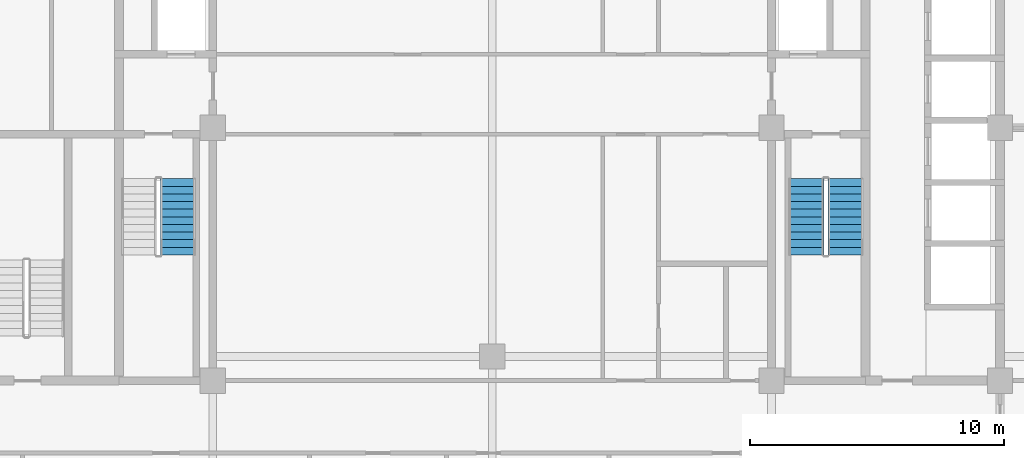
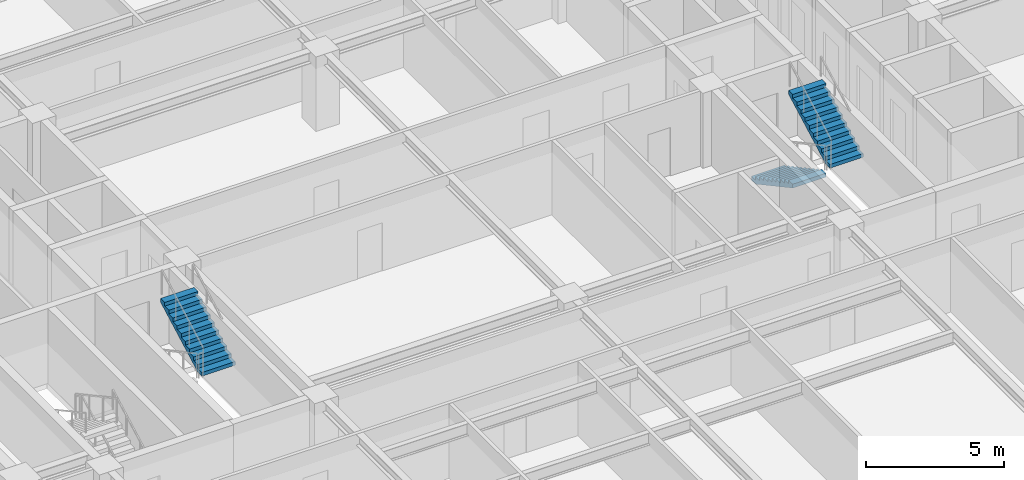
# One storey, part 7 of 13: 3 stair flights, 2 elements without a shape of their own.
"""IFC4 building model written with IfcOpenShell, lengths in metres."""

from ifc_helpers import new_model, si_unit, direction, frame, origin, place, context, subcontext, project, spatial, polyline, outline, extrude, material, layer, layer_set, type_object, element, aggregate, save


model = new_model("IFC4")

# Units and contexts
model_context = context("Model", 3, precision=1e-05, world=origin(), true_north=direction((0.0, 1.0)))
body_context = subcontext(model_context, "Body", "Model", "MODEL_VIEW")
ifc_project = project(units=[si_unit("LENGTHUNIT", "METRE"), si_unit("AREAUNIT", "SQUARE_METRE"), si_unit("VOLUMEUNIT", "CUBIC_METRE"), si_unit("PLANEANGLEUNIT", "RADIAN"), si_unit("MASSUNIT", "GRAM", prefix="KILO")], contexts=[model_context])

# Site, building, storey
site_placement = place(None, origin())
site = spatial("IfcSite", under=ifc_project, at=site_placement, CompositionType="ELEMENT")
building_placement = place(site_placement, origin())
building = spatial("IfcBuilding", under=site, at=building_placement, Name="Zulmaris Gate Convention Tower", CompositionType="ELEMENT")
storey_placement = place(building_placement, frame((0.0, 0.0, 109.2099609375)))
storey = spatial("IfcBuildingStorey", under=building, at=storey_placement, Name="L27", CompositionType="ELEMENT", Elevation=109.2099609375)

# Stair, stair flight
ifc_material = material(Name="Concrete C45/55", Category="concrete")
stair_type = type_object("IfcStairType", Name="ST-CORE-DOGLEG", PredefinedType="HALF_TURN_STAIR", material=ifc_material)
stair_1_placement = place(storey_placement, origin())
stair_1 = element("IfcStair", 1, at=stair_1_placement, inside=storey, type_object=stair_type, Name="L27 Core Exit Stair ST-1", PredefinedType="HALF_TURN_STAIR")
ifc_layer = layer(ifc_material, 0.14990234375, Name="Concrete C45/55")
ifc_layer_set = layer_set([ifc_layer], Name="Concrete C45/55")
stair_flight_type = type_object("IfcStairFlightType", Name="STF-RC150", PredefinedType="STRAIGHT", material=ifc_layer_set)
stair_flight_1_placement = place(storey_placement, frame((-12.360107421875, -5.0, 1.78515625), z_axis=(0.0, 0.0, 1.0), x_axis=(0.0, 1.0, 0.0)))
stair_flight_1 = element("IfcStairFlight", 2, at=stair_flight_1_placement, type_object=stair_flight_type, Name="ST-1 flight 2", NumberOfRisers=11, NumberOfTreads=10, PredefinedType="STRAIGHT", RiserHeight=0.162272727, TreadLength=0.3, context=body_context, shape_type="SweptSolid", body=[
    extrude(outline(polyline([(0.0, 0.0), (0.0, 0.162353515625), (0.300048828125, 0.162353515625), (0.300048828125, 0.324462890625), (0.60009765625, 0.324462890625), (0.60009765625, 0.48681640625), (0.89990234375, 0.48681640625), (0.89990234375, 0.649169921875), (1.199951171875, 0.649169921875), (1.199951171875, 0.811279296875), (1.5, 0.811279296875), (1.5, 0.9736328125), (1.800048828125, 0.9736328125), (1.800048828125, 1.135986328125), (2.10009765625, 1.135986328125), (2.10009765625, 1.298095703125), (2.39990234375, 1.298095703125), (2.39990234375, 1.46044921875), (2.699951171875, 1.46044921875), (2.699951171875, 1.622802734375), (3.0, 1.622802734375), (3.0, 1.784912109375), (3.0, 1.452392578125), (0.315185546875, 0.0), (0.0, 0.0)])), frame((0.0, 0.699951171875, 0.0), z_axis=(0.0, -1.0, 0.0), x_axis=(1.0, 0.0, 0.0)), (0.0, 0.0, 1.0), 1.39990234375),
])
aggregate(stair_1, [stair_flight_1])

# Stair, stair flights
stair_2_placement = place(storey_placement, origin())
stair_2 = element("IfcStair", 3, at=stair_2_placement, inside=storey, type_object=stair_type, Name="L27 Core Exit Stair ST-2", PredefinedType="HALF_TURN_STAIR")
stair_flight_2_placement = place(storey_placement, frame((12.360107421875, -2.0, 0.0), z_axis=(0.0, 0.0, 1.0), x_axis=(0.0, -1.0, 0.0)))
stair_flight_2 = element("IfcStairFlight", 4, at=stair_flight_2_placement, type_object=stair_flight_type, Name="ST-2 flight 1", NumberOfRisers=11, NumberOfTreads=10, PredefinedType="STRAIGHT", RiserHeight=0.162272727, TreadLength=0.3, context=body_context, shape_type="SweptSolid", body=[
    extrude(outline(polyline([(0.0, 0.0), (0.0, 0.162353515625), (0.300048828125, 0.162353515625), (0.300048828125, 0.324462890625), (0.60009765625, 0.324462890625), (0.60009765625, 0.48681640625), (0.89990234375, 0.48681640625), (0.89990234375, 0.649169921875), (1.199951171875, 0.649169921875), (1.199951171875, 0.811279296875), (1.5, 0.811279296875), (1.5, 0.9736328125), (1.800048828125, 0.9736328125), (1.800048828125, 1.135986328125), (2.10009765625, 1.135986328125), (2.10009765625, 1.298095703125), (2.39990234375, 1.298095703125), (2.39990234375, 1.46044921875), (2.699951171875, 1.46044921875), (2.699951171875, 1.622802734375), (3.0, 1.622802734375), (3.0, 1.784912109375), (3.0, 1.452392578125), (0.315185546875, 0.0), (0.0, 0.0)])), frame((0.0, 0.699951171875, 0.0), z_axis=(0.0, -1.0, 0.0), x_axis=(1.0, 0.0, 0.0)), (0.0, 0.0, 1.0), 1.39990234375),
])
stair_flight_3_placement = place(storey_placement, frame((13.919921875, -5.0, 1.78515625), z_axis=(0.0, 0.0, 1.0), x_axis=(0.0, 1.0, 0.0)))
stair_flight_3 = element("IfcStairFlight", 5, at=stair_flight_3_placement, type_object=stair_flight_type, Name="ST-2 flight 2", NumberOfRisers=11, NumberOfTreads=10, PredefinedType="STRAIGHT", RiserHeight=0.162272727, TreadLength=0.3, context=body_context, shape_type="SweptSolid", body=[
    extrude(outline(polyline([(0.0, 0.0), (0.0, 0.162353515625), (0.300048828125, 0.162353515625), (0.300048828125, 0.324462890625), (0.60009765625, 0.324462890625), (0.60009765625, 0.48681640625), (0.89990234375, 0.48681640625), (0.89990234375, 0.649169921875), (1.199951171875, 0.649169921875), (1.199951171875, 0.811279296875), (1.5, 0.811279296875), (1.5, 0.9736328125), (1.800048828125, 0.9736328125), (1.800048828125, 1.135986328125), (2.10009765625, 1.135986328125), (2.10009765625, 1.298095703125), (2.39990234375, 1.298095703125), (2.39990234375, 1.46044921875), (2.699951171875, 1.46044921875), (2.699951171875, 1.622802734375), (3.0, 1.622802734375), (3.0, 1.784912109375), (3.0, 1.452392578125), (0.315185546875, 0.0), (0.0, 0.0)])), frame((0.0, 0.699951171875, 0.0), z_axis=(0.0, -1.0, 0.0), x_axis=(1.0, 0.0, 0.0)), (0.0, 0.0, 1.0), 1.39990234375),
])
aggregate(stair_2, [stair_flight_2, stair_flight_3])

save(model, "model.ifc")
